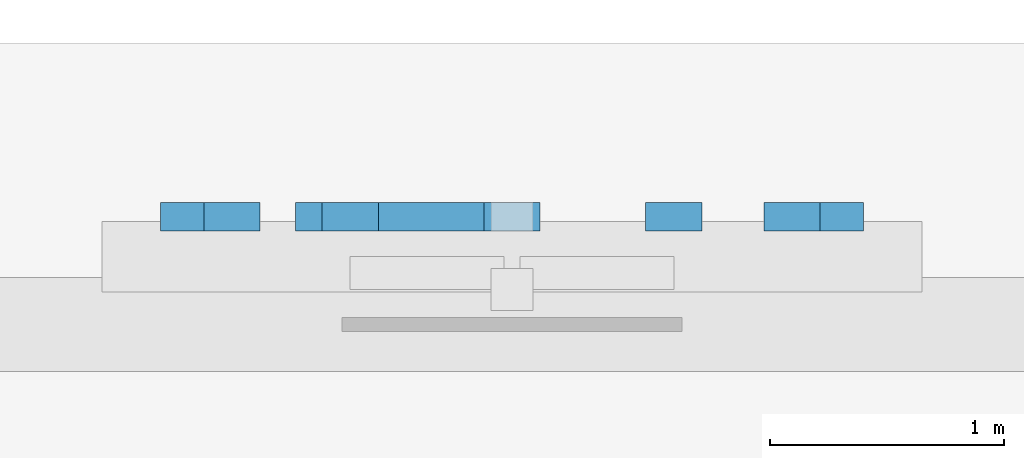
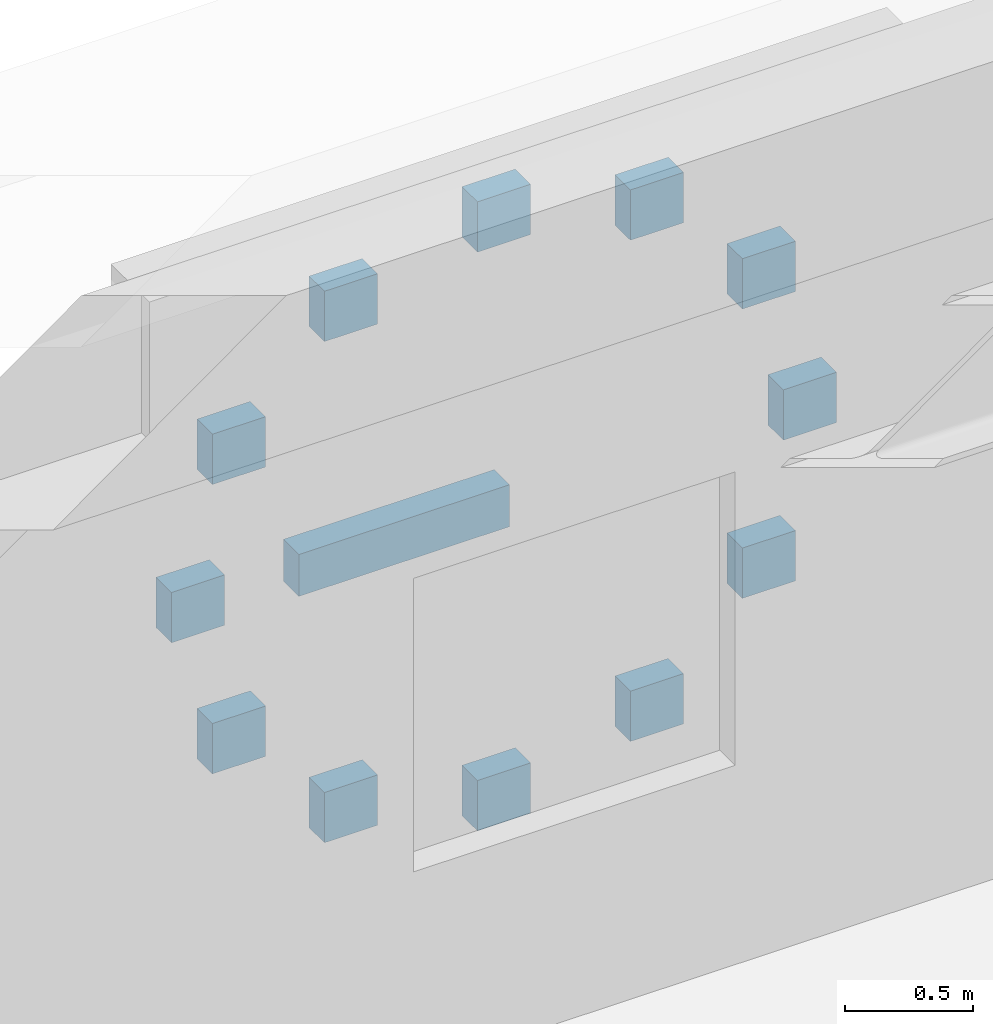
# One storey, part 36 of 66: 13 plates.
"""IFC4 building model written with IfcOpenShell, lengths in metres."""

from ifc_helpers import new_model, si_unit, direction, frame, origin, origin_2d, place, context, subcontext, project, spatial, rectangle, extrude, material, layer, layer_set, type_object, element, save


model = new_model("IFC4")

# Units and contexts
model_context = context("Model", 3, precision=1e-05, world=origin(), true_north=direction((0.0, 1.0)))
body_context = subcontext(model_context, "Body", "Model", "MODEL_VIEW")
ifc_project = project(units=[si_unit("LENGTHUNIT", "METRE"), si_unit("AREAUNIT", "SQUARE_METRE"), si_unit("VOLUMEUNIT", "CUBIC_METRE"), si_unit("PLANEANGLEUNIT", "RADIAN"), si_unit("MASSUNIT", "GRAM", prefix="KILO")], contexts=[model_context])

# Site, building, storey
site_placement = place(None, origin())
site = spatial("IfcSite", under=ifc_project, at=site_placement, CompositionType="ELEMENT")
building_placement = place(site_placement, origin())
building = spatial("IfcBuilding", under=site, at=building_placement, Name="Mithqara Police Headquarters", CompositionType="ELEMENT")
storey_placement = place(building_placement, frame((0.0, 0.0, 9.60009765625)))
storey = spatial("IfcBuildingStorey", under=building, at=storey_placement, Name="L02", CompositionType="ELEMENT", Elevation=9.60009765625)

# Plates
ifc_material = material(Name="Limestone ashlar masonry, 45 MPa", Category="masonry")
ifc_layer = layer(ifc_material, 0.1201171875, Name="Limestone ashlar masonry, 45 MPa")
ifc_layer_set = layer_set([ifc_layer], Name="Limestone ashlar masonry, 45 MPa")
plate_type = type_object("IfcPlateType", Name="STONE SCREEN 120", PredefinedType="USERDEFINED", material=ifc_layer_set)
for number, where, z_axis, x_axis, name in (
    (1, (126.60009765625, 114.4599609375, 3.35986328125), (0.0, 0.0, 1.0), (1.0, 0.0, 0.0), "Portal Clock Hour Marker 1"),
    (2, (127.2900390625, 114.4599609375, 3.1748046875), (0.0, 0.0, 1.0), (1.0, 0.0, 0.0), "Portal Clock Hour Marker 2"),
    (3, (127.795166015625, 114.4599609375, 2.669921875), (0.0, 0.0, 1.0), (1.0, 0.0, 0.0), "Portal Clock Hour Marker 3"),
    (4, (127.97998046875, 114.4599609375, 1.97998046875), (0.0, 0.0, 1.0), (1.0, 0.0, 0.0), "Portal Clock Hour Marker 4"),
    (5, (127.795166015625, 114.4599609375, 1.2900390625), (0.0, 0.0, 1.0), (1.0, 0.0, 0.0), "Portal Clock Hour Marker 5"),
    (6, (127.2900390625, 114.4599609375, 0.78466796875), (0.0, 0.0, 1.0), (1.0, 0.0, 0.0), "Portal Clock Hour Marker 6"),
    (7, (126.60009765625, 114.4599609375, 0.60009765625), (0.0, 0.0, 1.0), (1.0, 0.0, 0.0), "Portal Clock Hour Marker 7"),
    (8, (125.909912109375, 114.4599609375, 0.78466796875), (0.0, 0.0, 1.0), (1.0, 0.0, 0.0), "Portal Clock Hour Marker 8"),
    (9, (125.40478515625, 114.4599609375, 1.2900390625), (0.0, 0.0, 1.0), (1.0, 0.0, 0.0), "Portal Clock Hour Marker 9"),
    (10, (125.219970703125, 114.4599609375, 1.97998046875), (0.0, 0.0, 1.0), (1.0, 0.0, 0.0), "Portal Clock Hour Marker 10"),
    (11, (125.40478515625, 114.4599609375, 2.669921875), (0.0, 0.0, 1.0), (1.0, 0.0, 0.0), "Portal Clock Hour Marker 11"),
    (12, (125.909912109375, 114.4599609375, 3.1748046875), (0.0, 0.0, 1.0), (1.0, 0.0, 0.0), "Portal Clock Hour Marker 12"),
):
    element("IfcPlate", number, at=place(storey_placement, frame(where, z_axis=z_axis, x_axis=x_axis)), inside=storey, type_object=plate_type, Name=name, ObjectType="STONE SCREEN", PredefinedType="USERDEFINED", context=body_context, shape_type="SweptSolid", body=[
        extrude(rectangle(XDim=0.239990234375, YDim=0.1201171875, at=origin_2d()), origin(), (0.0, 0.0, 1.0), 0.239990234375),
    ])
plate_placement = place(storey_placement, frame((126.14990234375, 114.4599609375, 2.0), z_axis=(0.0, 0.0, 1.0), x_axis=(1.0, 0.0, 0.0)))
element("IfcPlate", 13, at=plate_placement, inside=storey, type_object=plate_type, Name="Portal Clock Hour Hand", ObjectType="STONE SCREEN", PredefinedType="USERDEFINED", context=body_context, shape_type="SweptSolid", body=[
    extrude(rectangle(XDim=0.949951171875, YDim=0.1201171875, at=origin_2d()), origin(), (0.0, 0.0, 1.0), 0.199951171875),
])

save(model, "model.ifc")
